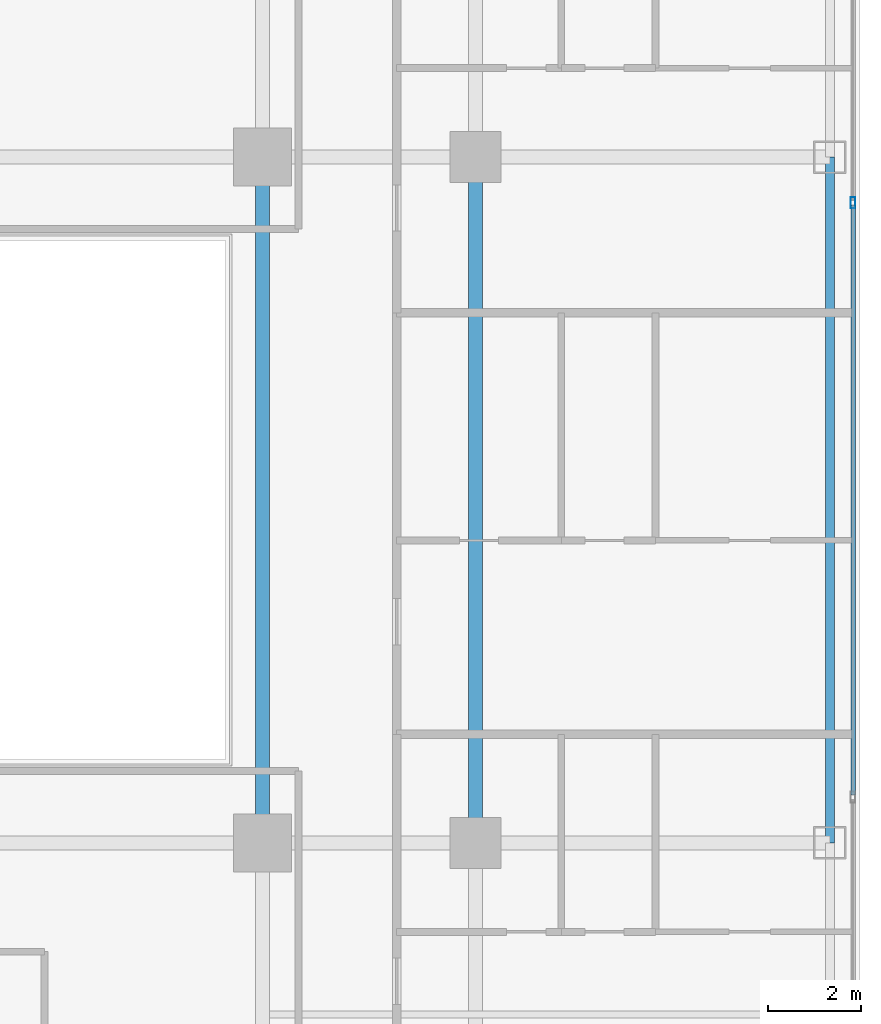
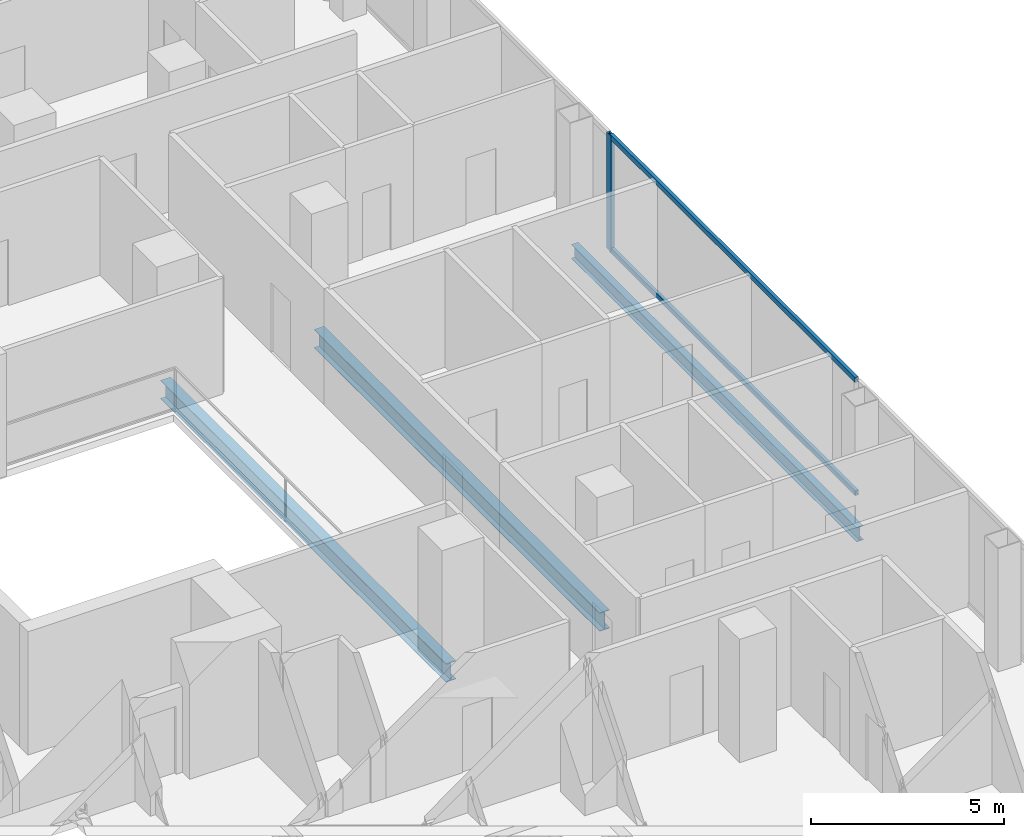
# One storey, part 11 of 29: 3 beams, 3 members, 1 element without a shape of its own.
"""IFC4 building model written with IfcOpenShell, lengths in metres."""

from ifc_helpers import new_model, si_unit, direction, frame, origin, origin_2d, place, context, subcontext, project, spatial, hollow_rectangle, i_section, extrude, material, layer, layer_set, material_profile, profile_set, type_object, element, aggregate, save


model = new_model("IFC4")

# Units and contexts
model_context = context("Model", 3, precision=1e-05, world=origin(), true_north=direction((0.0, 1.0)))
body_context = subcontext(model_context, "Body", "Model", "MODEL_VIEW")
ifc_project = project(units=[si_unit("LENGTHUNIT", "METRE"), si_unit("AREAUNIT", "SQUARE_METRE"), si_unit("VOLUMEUNIT", "CUBIC_METRE"), si_unit("PLANEANGLEUNIT", "RADIAN"), si_unit("MASSUNIT", "GRAM", prefix="KILO")], contexts=[model_context])

# Site, building, storey
site_placement = place(None, origin())
site = spatial("IfcSite", under=ifc_project, at=site_placement, CompositionType="ELEMENT")
building_placement = place(site_placement, origin())
building = spatial("IfcBuilding", under=site, at=building_placement, Name="Khorvyn Point Tower", CompositionType="ELEMENT")
storey_placement = place(building_placement, frame((0.0, 0.0, 140.699951171875)))
storey = spatial("IfcBuildingStorey", under=building, at=storey_placement, Name="L35", CompositionType="ELEMENT", Elevation=140.699951171875)

# Curtain wall, members
ifc_material_1 = material(Name="Anodised aluminium 6063-T6 and laminated Low-E glass", Category="aluminium")
ifc_layer = layer(ifc_material_1, 0.18994140625)
ifc_layer_set = layer_set([ifc_layer], Name="Stick-Built Acoustic Curtain Wall CW-SYS-03")
curtain_wall_type = type_object("IfcCurtainWallType", Name="Stick-Built Acoustic Curtain Wall CW-SYS-03", PredefinedType="NOTDEFINED", material=ifc_layer_set)
curtain_wall_placement = place(storey_placement, origin())
curtain_wall = element("IfcCurtainWall", 1, at=curtain_wall_placement, inside=storey, type_object=curtain_wall_type, Name="Curtain Wall", PredefinedType="NOTDEFINED")
ifc_material_2 = material(Name="Anodised aluminium 6063-T6", Category="aluminium")
ifc_material_profile_1 = material_profile(ifc_material_2, hollow_rectangle(XDim=0.10009765625, YDim=0.239990234375, WallThickness=0.0048828125, at=origin_2d()))
ifc_profile_set_1 = profile_set([ifc_material_profile_1], Name="Anodised aluminium 6063-T6 ALU-MUL-100x240")
member_type_1 = type_object("IfcMemberType", Name="Anodised Aluminium 6063-T6 Mullion ALU-MUL-100x240", PredefinedType="MULLION", material=ifc_profile_set_1)
member_1_placement = place(storey_placement, frame((27.550048828125, 6.416748046875, 0.0), z_axis=(0.0, 0.0, 1.0), x_axis=(1.0, 0.0, 0.0)))
member_1 = element("IfcMember", 2, at=member_1_placement, type_object=member_type_1, Name="Transom", PredefinedType="MULLION", context=body_context, shape_type="SweptSolid", body=[
    extrude(hollow_rectangle(XDim=0.10009765625, YDim=0.239990234375, WallThickness=0.0048828125, at=origin_2d()), origin(), (0.0, 0.0, 1.0), 3.679931640625),
])
ifc_material_profile_2 = material_profile(ifc_material_2, hollow_rectangle(XDim=0.10009765625, YDim=0.159912109375, WallThickness=0.00439453125, at=origin_2d()))
ifc_profile_set_2 = profile_set([ifc_material_profile_2], Name="Anodised aluminium 6063-T6 ALU-TRN-100x160")
member_type_2 = type_object("IfcMemberType", Name="Anodised Aluminium 6063-T6 Transom ALU-TRN-100x160", PredefinedType="USERDEFINED", material=ifc_profile_set_2)
member_2_placement = place(storey_placement, frame((27.550048828125, 6.36669921875, 0.050048828125), z_axis=(0.0, -1.0, 0.0), x_axis=(1.0, 0.0, 0.0)))
member_2 = element("IfcMember", 3, at=member_2_placement, type_object=member_type_2, Name="Transom", ObjectType="TRANSOM", PredefinedType="USERDEFINED", context=body_context, shape_type="SweptSolid", body=[
    extrude(hollow_rectangle(XDim=0.10009765625, YDim=0.159912109375, WallThickness=0.00439453125, at=origin_2d()), origin(), (0.0, 0.0, 1.0), 12.7333984375),
])
member_3_placement = place(storey_placement, frame((27.550048828125, 6.36669921875, 3.630126953125), z_axis=(0.0, -1.0, 0.0), x_axis=(1.0, 0.0, 0.0)))
member_3 = element("IfcMember", 4, at=member_3_placement, type_object=member_type_2, Name="Transom", ObjectType="TRANSOM", PredefinedType="USERDEFINED", context=body_context, shape_type="SweptSolid", body=[
    extrude(hollow_rectangle(XDim=0.10009765625, YDim=0.159912109375, WallThickness=0.00439453125, at=origin_2d()), origin(), (0.0, 0.0, 1.0), 12.7333984375),
])
aggregate(curtain_wall, [member_1, member_2, member_3])

# Beams
ifc_material_3 = material(Name="Steel S355", Category="steel")
ifc_material_profile_3 = material_profile(ifc_material_3, i_section(OverallWidth=0.300048828125, OverallDepth=0.587890625, WebThickness=0.011962890625, FlangeThickness=0.02001953125, at=origin_2d()))
ifc_profile_set_3 = profile_set([ifc_material_profile_3], Name="Steel S355 H588x300x12x20")
beam_type_1 = type_object("IfcBeamType", Name="Steel S355 Beam H588x300x12x20", PredefinedType="BEAM", material=ifc_profile_set_3)
for number, where, z_axis, x_axis, name in (
    (5, (14.800048828125, -7.39990234375, -0.513916015625), (0.0, 1.0, 0.0), (-1.0, 0.0, 0.0), "Beam"),
    (6, (19.39990234375, -7.39990234375, -0.513916015625), (0.0, 1.0, 0.0), (-1.0, 0.0, 0.0), "Beam"),
):
    element("IfcBeam", number, at=place(storey_placement, frame(where, z_axis=z_axis, x_axis=x_axis)), inside=storey, type_object=beam_type_1, Name=name, PredefinedType="BEAM", context=body_context, shape_type="SweptSolid", body=[
        extrude(i_section(OverallWidth=0.300048828125, OverallDepth=0.587890625, WebThickness=0.011962890625, FlangeThickness=0.02001953125, at=origin_2d()), origin(), (0.0, 0.0, 1.0), 14.7998046875),
    ])
ifc_material_profile_4 = material_profile(ifc_material_3, i_section(OverallWidth=0.199951171875, OverallDepth=0.449951171875, WebThickness=0.009033203125, FlangeThickness=0.013916015625, at=origin_2d()))
ifc_profile_set_4 = profile_set([ifc_material_profile_4], Name="Steel S355 H450x200x9x14")
beam_type_2 = type_object("IfcBeamType", Name="Steel S355 Spandrel H450x200x9x14", PredefinedType="SPANDREL", material=ifc_profile_set_4)
beam_placement = place(storey_placement, frame((27.050048828125, -7.39990234375, -0.445068359375), z_axis=(0.0, 1.0, 0.0), x_axis=(-1.0, 0.0, 0.0)))
element("IfcBeam", 7, at=beam_placement, inside=storey, type_object=beam_type_2, Name="Beam", PredefinedType="SPANDREL", context=body_context, shape_type="SweptSolid", body=[
    extrude(i_section(OverallWidth=0.199951171875, OverallDepth=0.449951171875, WebThickness=0.009033203125, FlangeThickness=0.013916015625, at=origin_2d()), origin(), (0.0, 0.0, 1.0), 14.7998046875),
])

save(model, "model.ifc")
